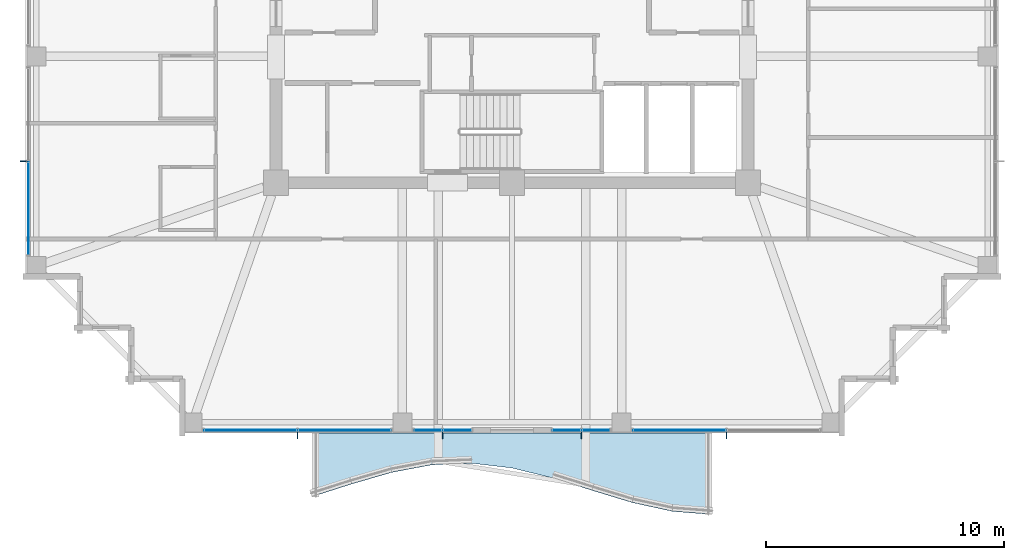
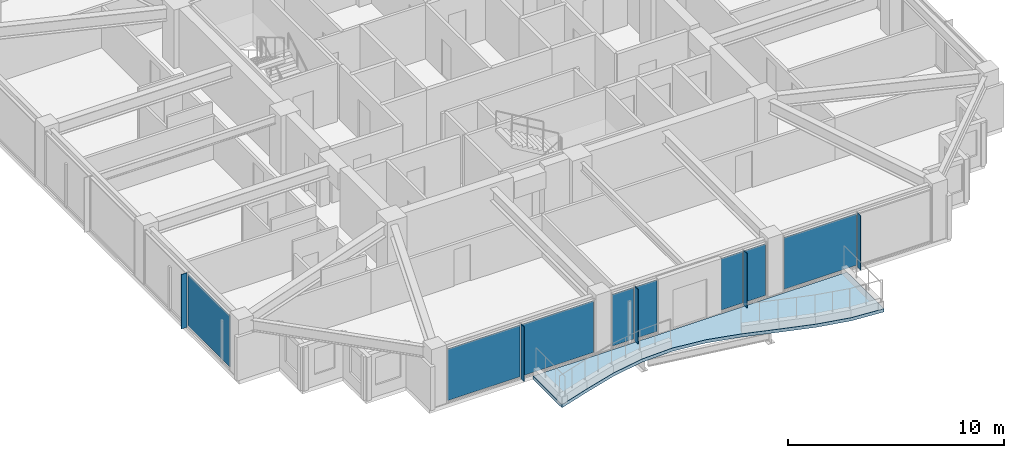
# One storey, part 23 of 36: 13 plates, 1 slab, 5 elements without a shape of their own.
"""IFC4 building model written with IfcOpenShell, lengths in metres."""

from ifc_helpers import new_model, si_unit, direction, frame, origin, origin_2d, place, context, subcontext, project, spatial, polyline, rectangle, outline, extrude, material, layer, layer_set, type_object, element, aggregate, save


model = new_model("IFC4")

# Units and contexts
model_context = context("Model", 3, precision=1e-05, world=origin(), true_north=direction((0.0, 1.0)))
body_context = subcontext(model_context, "Body", "Model", "MODEL_VIEW")
ifc_project = project(units=[si_unit("LENGTHUNIT", "METRE"), si_unit("AREAUNIT", "SQUARE_METRE"), si_unit("VOLUMEUNIT", "CUBIC_METRE"), si_unit("PLANEANGLEUNIT", "RADIAN"), si_unit("MASSUNIT", "GRAM", prefix="KILO")], contexts=[model_context])

# Site, building, storey
site_placement = place(None, origin())
site = spatial("IfcSite", under=ifc_project, at=site_placement, CompositionType="ELEMENT")
building_placement = place(site_placement, origin())
building = spatial("IfcBuilding", under=site, at=building_placement, Name="Kolvaren Belvedere", CompositionType="ELEMENT")
storey_placement = place(building_placement, frame((0.0, 0.0, 193.199951171875)))
storey = spatial("IfcBuildingStorey", under=building, at=storey_placement, Name="L56", CompositionType="ELEMENT", Elevation=193.199951171875)

# Curtain wall, plate
ifc_material_1 = material(Name="Anodised pale-metal aluminium AA 6063-T6", Category="aluminium")
curtain_wall_type = type_object("IfcCurtainWallType", Name="CW-Z5-HIGH", PredefinedType="NOTDEFINED", material=ifc_material_1)
curtain_wall_1_placement = place(storey_placement, origin())
curtain_wall_1 = element("IfcCurtainWall", 1, at=curtain_wall_1_placement, inside=storey, type_object=curtain_wall_type, Name="L56 Unitised Curtain Wall FCW-L56-S1-B1", PredefinedType="NOTDEFINED")
ifc_material_2 = material(Name="Low-iron triple insulated glass", Category="glass")
ifc_layer_1 = layer(ifc_material_2, 0.028076171875)
ifc_layer_set_1 = layer_set([ifc_layer_1], Name="Low-iron triple insulated glass")
plate_type_1 = type_object("IfcPlateType", Name="CW-PNL-VIS28", PredefinedType="CURTAIN_PANEL", material=ifc_layer_set_1)
plate_1_placement = place(storey_placement, frame((7.027587890625, -20.280029296875, 0.080078125), z_axis=(0.0, 0.0, 1.0), x_axis=(-1.0, 0.0, 0.0)))
plate_1 = element("IfcPlate", 2, at=plate_1_placement, type_object=plate_type_1, Name="FCW-L56-S1-B1 Vision Glazing Panel 2", PredefinedType="CURTAIN_PANEL", context=body_context, shape_type="SweptSolid", body=[
    extrude(rectangle(XDim=3.864990234375, YDim=0.028076171875, at=origin_2d()), origin(), (0.0, 0.0, 1.0), 2.919921875),
])
aggregate(curtain_wall_1, [plate_1])

# Curtain wall, plates
curtain_wall_2_placement = place(storey_placement, origin())
curtain_wall_2 = element("IfcCurtainWall", 3, at=curtain_wall_2_placement, inside=storey, type_object=curtain_wall_type, Name="L56 Unitised Curtain Wall FCW-L56-S1-B2", PredefinedType="NOTDEFINED")
plate_2_placement = place(storey_placement, frame((3.52880859375, -20.280029296875, 0.080078125), z_axis=(0.0, 0.0, 1.0), x_axis=(-1.0, 0.0, 0.0)))
plate_2 = element("IfcPlate", 4, at=plate_2_placement, type_object=plate_type_1, Name="FCW-L56-S1-B2 Vision Glazing Panel 1", PredefinedType="CURTAIN_PANEL", context=body_context, shape_type="SweptSolid", body=[
    extrude(rectangle(XDim=1.152587890625, YDim=0.028076171875, at=origin_2d()), origin(), (0.0, 0.0, 1.0), 2.919921875),
])
plate_3_placement = place(storey_placement, frame((2.296142578125, -20.280029296875, 0.080078125), z_axis=(0.0, 0.0, 1.0), x_axis=(-1.0, 0.0, 0.0)))
plate_3 = element("IfcPlate", 5, at=plate_3_placement, type_object=plate_type_1, Name="FCW-L56-S1-B2 Vision Glazing Panel 2", PredefinedType="CURTAIN_PANEL", context=body_context, shape_type="SweptSolid", body=[
    extrude(rectangle(XDim=1.152587890625, YDim=0.028076171875, at=origin_2d()), origin(), (0.0, 0.0, 1.0), 2.919921875),
])
aggregate(curtain_wall_2, [plate_2, plate_3])

curtain_wall_3_placement = place(storey_placement, origin())
curtain_wall_3 = element("IfcCurtainWall", 6, at=curtain_wall_3_placement, inside=storey, type_object=curtain_wall_type, Name="L56 Unitised Curtain Wall FCW-L56-S2-B1", PredefinedType="NOTDEFINED")
plate_4_placement = place(storey_placement, frame((-2.296142578125, -20.280029296875, 0.080078125), z_axis=(0.0, 0.0, 1.0), x_axis=(-1.0, 0.0, 0.0)))
plate_4 = element("IfcPlate", 7, at=plate_4_placement, type_object=plate_type_1, Name="FCW-L56-S2-B1 Vision Glazing Panel 1", PredefinedType="CURTAIN_PANEL", context=body_context, shape_type="SweptSolid", body=[
    extrude(rectangle(XDim=1.152587890625, YDim=0.028076171875, at=origin_2d()), origin(), (0.0, 0.0, 1.0), 2.919921875),
])
plate_5_placement = place(storey_placement, frame((-3.52880859375, -20.280029296875, 0.080078125), z_axis=(0.0, 0.0, 1.0), x_axis=(-1.0, 0.0, 0.0)))
plate_5 = element("IfcPlate", 8, at=plate_5_placement, type_object=plate_type_1, Name="FCW-L56-S2-B1 Vision Glazing Panel 2", PredefinedType="CURTAIN_PANEL", context=body_context, shape_type="SweptSolid", body=[
    extrude(rectangle(XDim=1.152587890625, YDim=0.028076171875, at=origin_2d()), origin(), (0.0, 0.0, 1.0), 2.919921875),
])
aggregate(curtain_wall_3, [plate_4, plate_5])

curtain_wall_4_placement = place(storey_placement, origin())
curtain_wall_4 = element("IfcCurtainWall", 9, at=curtain_wall_4_placement, inside=storey, type_object=curtain_wall_type, Name="L56 Unitised Curtain Wall FCW-L56-S2-B2", PredefinedType="NOTDEFINED")
plate_6_placement = place(storey_placement, frame((-7.027587890625, -20.280029296875, 0.080078125), z_axis=(0.0, 0.0, 1.0), x_axis=(-1.0, 0.0, 0.0)))
plate_6 = element("IfcPlate", 10, at=plate_6_placement, type_object=plate_type_1, Name="FCW-L56-S2-B2 Vision Glazing Panel 1", PredefinedType="CURTAIN_PANEL", context=body_context, shape_type="SweptSolid", body=[
    extrude(rectangle(XDim=3.864990234375, YDim=0.028076171875, at=origin_2d()), origin(), (0.0, 0.0, 1.0), 2.919921875),
])
plate_7_placement = place(storey_placement, frame((-10.972412109375, -20.280029296875, 0.080078125), z_axis=(0.0, 0.0, 1.0), x_axis=(-1.0, 0.0, 0.0)))
plate_7 = element("IfcPlate", 11, at=plate_7_placement, type_object=plate_type_1, Name="FCW-L56-S2-B2 Vision Glazing Panel 2", PredefinedType="CURTAIN_PANEL", context=body_context, shape_type="SweptSolid", body=[
    extrude(rectangle(XDim=3.864990234375, YDim=0.028076171875, at=origin_2d()), origin(), (0.0, 0.0, 1.0), 2.919921875),
])
aggregate(curtain_wall_4, [plate_6, plate_7])

# Curtain wall, plate
curtain_wall_5_placement = place(storey_placement, origin())
curtain_wall_5 = element("IfcCurtainWall", 12, at=curtain_wall_5_placement, inside=storey, type_object=curtain_wall_type, Name="L56 Unitised Curtain Wall FCW-L56-W-B1", PredefinedType="NOTDEFINED")
plate_8_placement = place(storey_placement, frame((-20.280029296875, -10.972412109375, 0.080078125), z_axis=(0.0, 0.0, 1.0), x_axis=(0.0, 1.0, 0.0)))
plate_8 = element("IfcPlate", 13, at=plate_8_placement, type_object=plate_type_1, Name="FCW-L56-W-B1 Vision Glazing Panel 1", PredefinedType="CURTAIN_PANEL", context=body_context, shape_type="SweptSolid", body=[
    extrude(rectangle(XDim=3.864990234375, YDim=0.028076171875, at=origin_2d()), origin(), (0.0, 0.0, 1.0), 2.919921875),
])
aggregate(curtain_wall_5, [plate_8])

# Plates
ifc_material_3 = material(Name="Anodised pale-metal aluminium AA 6063-T6", Category="aluminium")
ifc_layer_2 = layer(ifc_material_3, 0.030029296875)
ifc_layer_set_2 = layer_set([ifc_layer_2], Name="Anodised pale-metal aluminium AA 6063-T6")
plate_type_2 = type_object("IfcPlateType", Name="FIN-VERT-300", PredefinedType="USERDEFINED", material=ifc_layer_set_2)
for number, where, z_axis, x_axis, name in (
    (14, (9.0, -20.489990234375, 0.0), (0.0, 0.0, 1.0), (0.0, 1.0, 0.0), "L56 Pale-Metal Vertical Shading Fin FCW-L56-S1-B1-1"),
    (15, (2.91259765625, -20.489990234375, 0.0), (0.0, 0.0, 1.0), (0.0, 1.0, 0.0), "L56 Pale-Metal Vertical Shading Fin FCW-L56-S1-B2-1"),
    (16, (-2.91259765625, -20.489990234375, 0.0), (0.0, 0.0, 1.0), (0.0, 1.0, 0.0), "L56 Pale-Metal Vertical Shading Fin FCW-L56-S2-B1-1"),
    (17, (-9.0, -20.489990234375, 0.0), (0.0, 0.0, 1.0), (0.0, 1.0, 0.0), "L56 Pale-Metal Vertical Shading Fin FCW-L56-S2-B2-1"),
    (18, (-20.489990234375, -9.0, 0.0), (0.0, 0.0, 1.0), (1.0, 0.0, 0.0), "L56 Pale-Metal Vertical Shading Fin FCW-L56-W-B1-1"),
):
    element("IfcPlate", number, at=place(storey_placement, frame(where, z_axis=z_axis, x_axis=x_axis)), inside=storey, type_object=plate_type_2, Name=name, ObjectType="VERTICAL FIN", PredefinedType="USERDEFINED", context=body_context, shape_type="SweptSolid", body=[
        extrude(rectangle(XDim=0.300048828125, YDim=0.030029296875, at=origin_2d()), origin(), (0.0, 0.0, 1.0), 3.080078125),
    ])

# Slab
ifc_material_4 = material(Name="Concrete C50/60", Category="concrete")
ifc_layer_3 = layer(ifc_material_4, 0.179931640625)
ifc_layer_set_3 = layer_set([ifc_layer_3], Name="Concrete C50/60")
slab_type = type_object("IfcSlabType", Name="SL-BAL-180", PredefinedType="FLOOR", material=ifc_layer_set_3)
slab_placement = place(storey_placement, frame((0.0, 0.0, -0.219970703125)))
element("IfcSlab", 19, at=slab_placement, inside=storey, type_object=slab_type, Name="L56 Planted Balcony BAL-S", PredefinedType="FLOOR", context=body_context, shape_type="SweptSolid", body=[
    extrude(outline(polyline([(-8.39990234375, -23.07373046875), (-6.719970703125, -22.53759765625), (-5.0400390625, -22.051513671875), (-3.360107421875, -21.73583984375), (-1.679931640625, -21.66845703125), (0.0, -21.8662109375), (1.679931640625, -22.2802734375), (3.360107421875, -22.807861328125), (5.0400390625, -23.318603515625), (6.719970703125, -23.686279296875), (8.39990234375, -23.820068359375), (8.39990234375, -20.39990234375), (6.719970703125, -20.39990234375), (5.0400390625, -20.39990234375), (3.360107421875, -20.39990234375), (1.679931640625, -20.39990234375), (0.0, -20.39990234375), (-1.679931640625, -20.39990234375), (-3.360107421875, -20.39990234375), (-5.0400390625, -20.39990234375), (-6.719970703125, -20.39990234375), (-8.39990234375, -20.39990234375), (-8.39990234375, -23.07373046875)])), origin(), (0.0, 0.0, 1.0), 0.179931640625),
])

save(model, "model.ifc")
